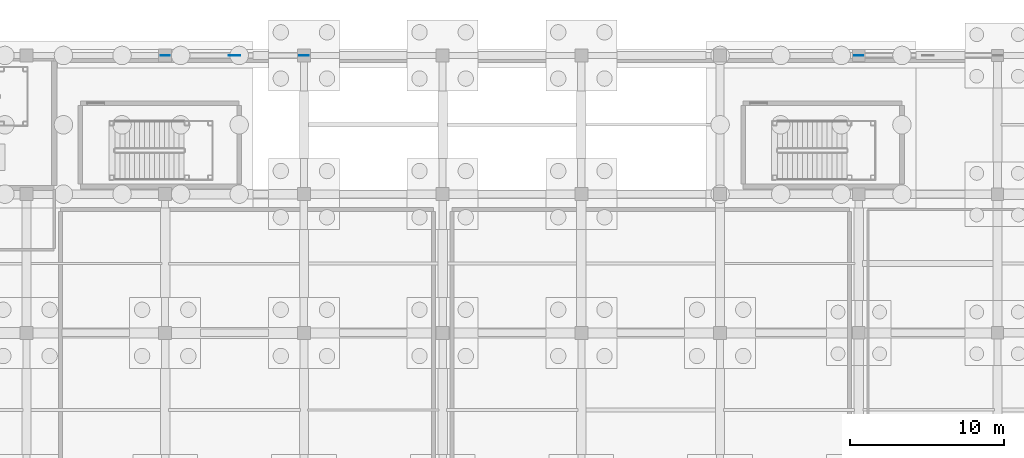
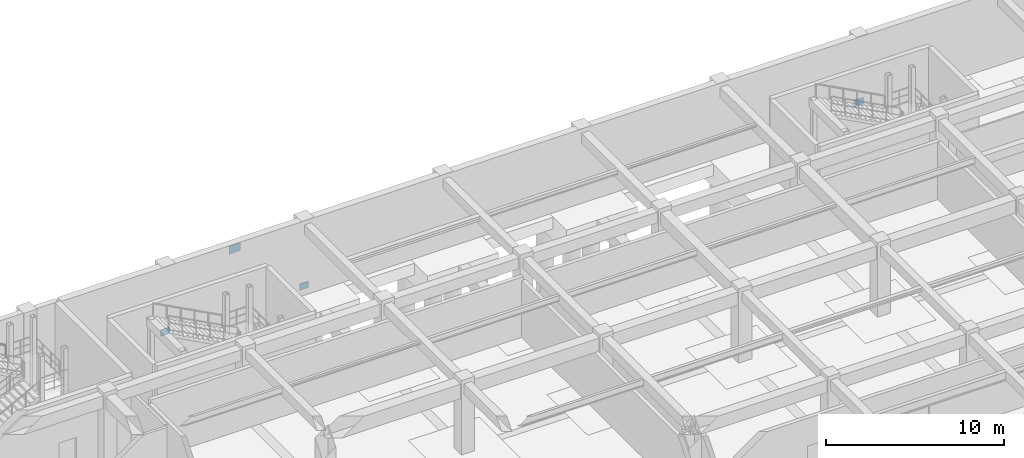
# One storey, part 39 of 62: 4 plates.
"""IFC4 building model written with IfcOpenShell, lengths in metres."""

from ifc_helpers import new_model, si_unit, direction, frame, origin, origin_2d, place, context, subcontext, project, spatial, rectangle, extrude, material, layer, layer_set, type_object, element, save


model = new_model("IFC4")

# Units and contexts
model_context = context("Model", 3, precision=1e-05, world=origin(), true_north=direction((0.0, 1.0)))
body_context = subcontext(model_context, "Body", "Model", "MODEL_VIEW")
ifc_project = project(units=[si_unit("LENGTHUNIT", "METRE"), si_unit("AREAUNIT", "SQUARE_METRE"), si_unit("VOLUMEUNIT", "CUBIC_METRE"), si_unit("PLANEANGLEUNIT", "RADIAN"), si_unit("MASSUNIT", "GRAM", prefix="KILO")], contexts=[model_context])

# Site, building, storey
site_placement = place(None, origin())
site = spatial("IfcSite", under=ifc_project, at=site_placement, CompositionType="ELEMENT")
building_placement = place(site_placement, origin())
building = spatial("IfcBuilding", under=site, at=building_placement, Name="Miravela Opera House", CompositionType="ELEMENT")
storey_placement = place(building_placement, frame((0.0, 0.0, -5.10009765625)))
storey = spatial("IfcBuildingStorey", under=building, at=storey_placement, Name="B01", CompositionType="ELEMENT", Elevation=-5.10009765625)

# Plates
ifc_material = material(Name="Structural steel ASTM A572 Gr. 50", Category="steel")
ifc_layer_1 = layer(ifc_material, 0.01806640625)
ifc_layer_set_1 = layer_set([ifc_layer_1])
plate_type_1 = type_object("IfcPlateType", Name="STR-PL-GUS-600X450X18", PredefinedType="USERDEFINED", material=ifc_layer_set_1)
for number, where, z_axis, x_axis, name in (
    (1, (81.0, 112.0, 0.0751953125), (0.0, 0.0, 1.0), (1.0, 0.0, 0.0), "Brace Wall Cast-In Embed Plate 331"),
    (2, (90.0, 112.0, 0.0751953125), (0.0, 0.0, 1.0), (1.0, 0.0, 0.0), "Brace Wall Cast-In Embed Plate 332"),
    (3, (126.0, 112.0, 0.0751953125), (0.0, 0.0, 1.0), (1.0, 0.0, 0.0), "Brace Wall Cast-In Embed Plate 343"),
):
    element("IfcPlate", number, at=place(storey_placement, frame(where, z_axis=z_axis, x_axis=x_axis)), inside=storey, type_object=plate_type_1, Name=name, ObjectType="GUSSET PLATE", PredefinedType="USERDEFINED", context=body_context, shape_type="SweptSolid", body=[
        extrude(rectangle(XDim=0.60009765625, YDim=0.01806640625, at=origin_2d()), origin(), (0.0, 0.0, 1.0), 0.449951171875),
    ])
ifc_layer_2 = layer(ifc_material, 0.02001953125)
ifc_layer_set_2 = layer_set([ifc_layer_2])
plate_type_2 = type_object("IfcPlateType", Name="STR-PL-GUS-750X550X20", PredefinedType="USERDEFINED", material=ifc_layer_set_2)
plate_placement = place(storey_placement, frame((85.5, 112.0, 4.1552734375), z_axis=(0.0, 0.0, 1.0), x_axis=(1.0, 0.0, 0.0)))
element("IfcPlate", 4, at=plate_placement, inside=storey, type_object=plate_type_2, Name="Chevron Brace Apex Gusset Plate 330", ObjectType="GUSSET PLATE", PredefinedType="USERDEFINED", context=body_context, shape_type="SweptSolid", body=[
    extrude(rectangle(XDim=0.75, YDim=0.02001953125, at=origin_2d()), origin(), (0.0, 0.0, 1.0), 0.550048828125),
])

save(model, "model.ifc")
